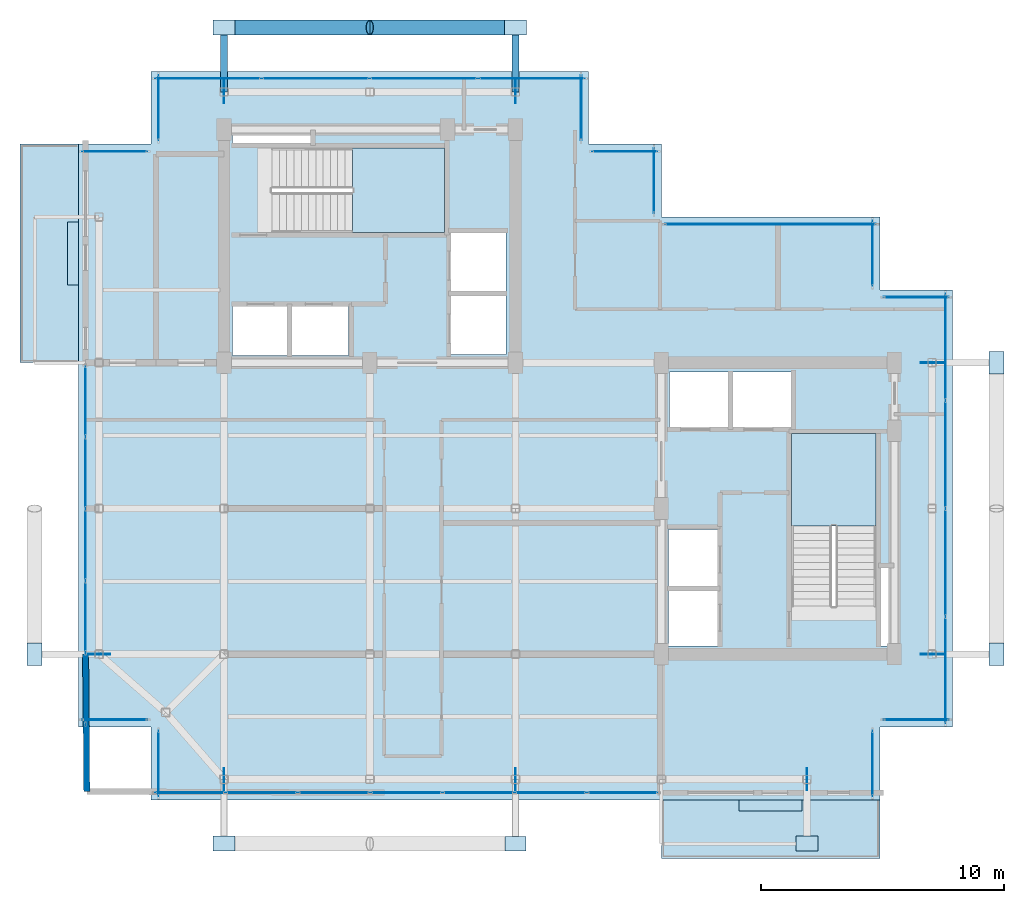
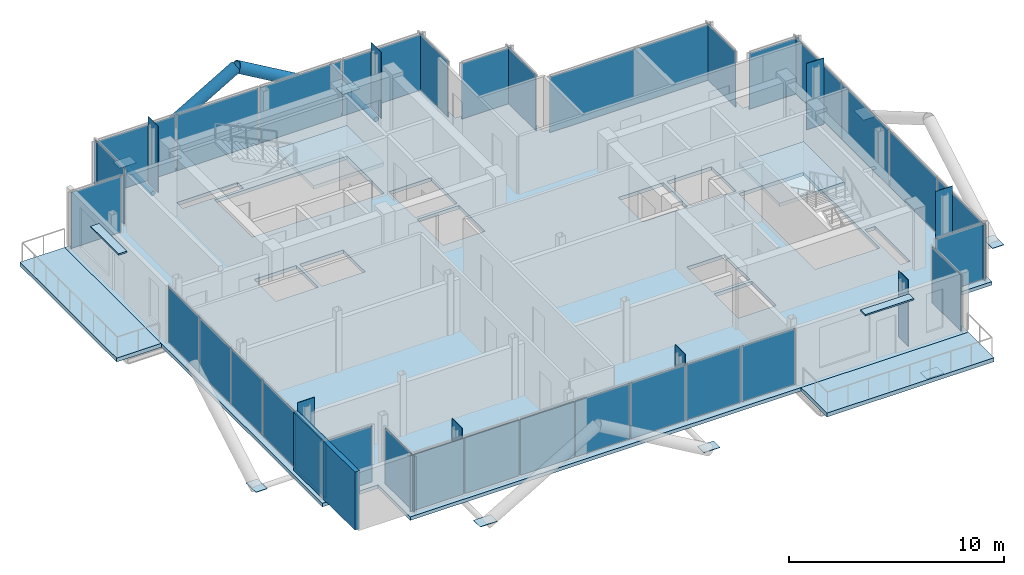
# One storey, part 14 of 19: 50 plates, 5 slabs, 4 members, 1 wall, 18 elements without a shape of their own.
"""IFC4 building model written with IfcOpenShell, lengths in metres."""

from ifc_helpers import new_model, si_unit, direction, frame, frame_2d, origin, origin_2d, place, context, subcontext, project, spatial, polyline, rectangle, hollow_circle, outline, extrude, material, layer, layer_set, material_profile, profile_set, type_object, element, aggregate, save


model = new_model("IFC4")

# Units and contexts
model_context = context("Model", 3, precision=1e-05, world=origin(), true_north=direction((0.0, 1.0)))
body_context = subcontext(model_context, "Body", "Model", "MODEL_VIEW")
ifc_project = project(units=[si_unit("LENGTHUNIT", "METRE"), si_unit("AREAUNIT", "SQUARE_METRE"), si_unit("VOLUMEUNIT", "CUBIC_METRE"), si_unit("PLANEANGLEUNIT", "RADIAN"), si_unit("MASSUNIT", "GRAM", prefix="KILO"), si_unit("THERMODYNAMICTEMPERATUREUNIT", "KELVIN"), si_unit("POWERUNIT", "WATT")], contexts=[model_context])

# Site, building, storey
site_placement = place(None, origin())
site = spatial("IfcSite", under=ifc_project, at=site_placement, CompositionType="ELEMENT")
building_placement = place(site_placement, origin())
building = spatial("IfcBuilding", under=site, at=building_placement, Name="Svarakhadi Broadcast Tower", CompositionType="ELEMENT")
storey_placement = place(building_placement, frame((0.0, 0.0, 285.199951171875)))
storey = spatial("IfcBuildingStorey", under=building, at=storey_placement, Name="L72", CompositionType="ELEMENT", Elevation=285.199951171875)

# Members
ifc_material_1 = material(Name="Steel S460ML (IS 2062 E450BR)", Category="steel")
ifc_material_profile_1 = material_profile(ifc_material_1, hollow_circle(Radius=0.304931640625, WallThickness=0.030029296875, at=origin_2d()), Name="CHS 610x30")
ifc_profile_set_1 = profile_set([ifc_material_profile_1], Name="Steel S460ML (IS 2062 E450BR)")
member_type_1 = type_object("IfcMemberType", Name="Exo_Brace_CHS610", PredefinedType="BRACE", material=ifc_profile_set_1)
for number, where, z_axis, x_axis, name in (
    (1, (6.0, 31.800048828125, -0.33642578125), (0.863778900898, 0.0, 0.503871025524), (0.0, 1.0, 0.0), "L72 Exposed Bronze Exoskeleton Diagonal N06"),
    (2, (18.0, 31.800048828125, -0.33642578125), (-0.863778900898, 0.0, 0.503871025524), (0.0, -1.0, 0.0), "L72 Exposed Bronze Exoskeleton Diagonal N07"),
):
    element("IfcMember", number, at=place(storey_placement, frame(where, z_axis=z_axis, x_axis=x_axis)), inside=storey, type_object=member_type_1, Name=name, PredefinedType="BRACE", context=body_context, shape_type="SweptSolid", body=[
        extrude(hollow_circle(Radius=0.304931640625, WallThickness=0.030029296875, at=origin_2d()), origin(), (0.0, 0.0, 1.0), 6.9462890625),
    ])
ifc_material_profile_2 = material_profile(ifc_material_1, hollow_circle(Radius=0.136474609375, WallThickness=0.012451171875, at=origin_2d()), Name="CHS 273x12.5")
ifc_profile_set_2 = profile_set([ifc_material_profile_2], Name="Steel S460ML (IS 2062 E450BR)")
member_type_2 = type_object("IfcMemberType", Name="Exo_Radial_Strut_Z3", PredefinedType="STRUT", material=ifc_profile_set_2)
for number, where, z_axis, x_axis, name in (
    (3, (6.0, 31.800048828125, -0.33642578125), (0.0, -1.0, 0.0), (1.0, 0.0, 0.0), "L72 Exoskeleton Radial Tie Strut N07"),
    (4, (18.0, 31.800048828125, -0.33642578125), (0.0, -1.0, 0.0), (1.0, 0.0, 0.0), "L72 Exoskeleton Radial Tie Strut N08"),
):
    element("IfcMember", number, at=place(storey_placement, frame(where, z_axis=z_axis, x_axis=x_axis)), inside=storey, type_object=member_type_2, Name=name, PredefinedType="STRUT", context=body_context, shape_type="SweptSolid", body=[
        extrude(hollow_circle(Radius=0.136474609375, WallThickness=0.012451171875, at=origin_2d()), origin(), (0.0, 0.0, 1.0), 2.650146484375),
    ])

# Curtain wall, plate
ifc_material_2 = material(Name="Anodised Bronze Aluminium AA 6063-T6", Category="aluminium")
ifc_layer_1 = layer(ifc_material_2, 0.179931640625)
ifc_layer_set_1 = layer_set([ifc_layer_1], Name="Anodised Bronze Aluminium AA 6063-T6")
curtain_wall_type = type_object("IfcCurtainWallType", Name="CW_Sys_05", PredefinedType="NOTDEFINED", material=ifc_layer_set_1)
curtain_wall_1_placement = place(storey_placement, origin())
curtain_wall_1 = element("IfcCurtainWall", 5, at=curtain_wall_1_placement, inside=storey, type_object=curtain_wall_type, Name="L72 Unitised Facade Curtain Wall 01", PredefinedType="NOTDEFINED")
ifc_material_3 = material(Name="Double Low-E Laminated Acoustic Glass IGU 36 mm", Category="glass")
ifc_layer_2 = layer(ifc_material_3, 0.033935546875)
ifc_layer_set_2 = layer_set([ifc_layer_2], Name="Double Low-E Laminated Acoustic Glass IGU 36 mm")
plate_type_1 = type_object("IfcPlateType", Name="CW_Sys_05_Pnl", PredefinedType="CURTAIN_PANEL", material=ifc_layer_set_2)
plate_1_placement = place(storey_placement, frame((1.5, 3.300048828125, 0.065185546875), z_axis=(0.0, 0.0, 1.0), x_axis=(-1.0, 0.0, 0.0)))
plate_1 = element("IfcPlate", 6, at=plate_1_placement, type_object=plate_type_1, Name="CW-05 panel 1.1", PredefinedType="CURTAIN_PANEL", context=body_context, shape_type="SweptSolid", body=[
    extrude(rectangle(XDim=2.679931640625, YDim=0.033935546875, at=origin_2d()), origin(), (0.0, 0.0, 1.0), 3.169921875),
])
aggregate(curtain_wall_1, [plate_1])

# Curtain wall, plates
curtain_wall_2_placement = place(storey_placement, origin())
curtain_wall_2 = element("IfcCurtainWall", 7, at=curtain_wall_2_placement, inside=storey, type_object=curtain_wall_type, Name="L72 West Curtain Wall 02", PredefinedType="NOTDEFINED")
plate_2_placement = place(storey_placement, frame((0.300048828125, 4.589599609375, 0.065185546875), z_axis=(0.0, 0.0, 1.0), x_axis=(0.0, 1.0, 0.0)))
plate_2 = element("IfcPlate", 8, at=plate_2_placement, type_object=plate_type_1, Name="CW-05 panel 1.1", PredefinedType="CURTAIN_PANEL", context=body_context, shape_type="SweptSolid", body=[
    extrude(rectangle(XDim=2.85888671875, YDim=0.033935546875, at=origin_2d()), origin(), (0.0, 0.0, 1.0), 3.169921875),
])
plate_3_placement = place(storey_placement, frame((0.300048828125, 7.535888671875, 0.065185546875), z_axis=(0.0, 0.0, 1.0), x_axis=(0.0, 1.0, 0.0)))
plate_3 = element("IfcPlate", 9, at=plate_3_placement, type_object=plate_type_1, Name="CW-05 panel 2.1", PredefinedType="CURTAIN_PANEL", context=body_context, shape_type="SweptSolid", body=[
    extrude(rectangle(XDim=2.89404296875, YDim=0.033935546875, at=origin_2d()), origin(), (0.0, 0.0, 1.0), 3.169921875),
])
plate_4_placement = place(storey_placement, frame((0.300048828125, 10.5, 0.065185546875), z_axis=(0.0, 0.0, 1.0), x_axis=(0.0, 1.0, 0.0)))
plate_4 = element("IfcPlate", 10, at=plate_4_placement, type_object=plate_type_1, Name="CW-05 panel 3.1", PredefinedType="CURTAIN_PANEL", context=body_context, shape_type="SweptSolid", body=[
    extrude(rectangle(XDim=2.89404296875, YDim=0.033935546875, at=origin_2d()), origin(), (0.0, 0.0, 1.0), 3.169921875),
])
plate_5_placement = place(storey_placement, frame((0.300048828125, 13.464111328125, 0.065185546875), z_axis=(0.0, 0.0, 1.0), x_axis=(0.0, 1.0, 0.0)))
plate_5 = element("IfcPlate", 11, at=plate_5_placement, type_object=plate_type_1, Name="CW-05 panel 4.1", PredefinedType="CURTAIN_PANEL", context=body_context, shape_type="SweptSolid", body=[
    extrude(rectangle(XDim=2.89404296875, YDim=0.033935546875, at=origin_2d()), origin(), (0.0, 0.0, 1.0), 3.169921875),
])
plate_6_placement = place(storey_placement, frame((0.300048828125, 16.410400390625, 0.065185546875), z_axis=(0.0, 0.0, 1.0), x_axis=(0.0, 1.0, 0.0)))
plate_6 = element("IfcPlate", 12, at=plate_6_placement, type_object=plate_type_1, Name="CW-05 panel 5.1", PredefinedType="CURTAIN_PANEL", context=body_context, shape_type="SweptSolid", body=[
    extrude(rectangle(XDim=2.85888671875, YDim=0.033935546875, at=origin_2d()), origin(), (0.0, 0.0, 1.0), 3.169921875),
])
aggregate(curtain_wall_2, [plate_2, plate_3, plate_4, plate_5, plate_6])

# Curtain wall, plate
curtain_wall_3_placement = place(storey_placement, origin())
curtain_wall_3 = element("IfcCurtainWall", 13, at=curtain_wall_3_placement, inside=storey, type_object=curtain_wall_type, Name="L72 Unitised Facade Curtain Wall 03", PredefinedType="NOTDEFINED")
plate_7_placement = place(storey_placement, frame((1.5, 26.699951171875, 0.065185546875), z_axis=(0.0, 0.0, 1.0), x_axis=(1.0, 0.0, 0.0)))
plate_7 = element("IfcPlate", 14, at=plate_7_placement, type_object=plate_type_1, Name="CW-05 panel 1.1", PredefinedType="CURTAIN_PANEL", context=body_context, shape_type="SweptSolid", body=[
    extrude(rectangle(XDim=2.679931640625, YDim=0.033935546875, at=origin_2d()), origin(), (0.0, 0.0, 1.0), 3.169921875),
])
aggregate(curtain_wall_3, [plate_7])

curtain_wall_4_placement = place(storey_placement, origin())
curtain_wall_4 = element("IfcCurtainWall", 15, at=curtain_wall_4_placement, inside=storey, type_object=curtain_wall_type, Name="L72 Unitised Facade Curtain Wall 04", PredefinedType="NOTDEFINED")
plate_8_placement = place(storey_placement, frame((3.300048828125, 28.5, 0.065185546875), z_axis=(0.0, 0.0, 1.0), x_axis=(0.0, 1.0, 0.0)))
plate_8 = element("IfcPlate", 16, at=plate_8_placement, type_object=plate_type_1, Name="CW-05 panel 1.1", PredefinedType="CURTAIN_PANEL", context=body_context, shape_type="SweptSolid", body=[
    extrude(rectangle(XDim=2.679931640625, YDim=0.033935546875, at=origin_2d()), origin(), (0.0, 0.0, 1.0), 3.169921875),
])
aggregate(curtain_wall_4, [plate_8])

# Curtain wall, plates
curtain_wall_5_placement = place(storey_placement, origin())
curtain_wall_5 = element("IfcCurtainWall", 17, at=curtain_wall_5_placement, inside=storey, type_object=curtain_wall_type, Name="L72 Unitised Facade Curtain Wall 05", PredefinedType="NOTDEFINED")
plate_9_placement = place(storey_placement, frame((5.3349609375, 29.699951171875, 0.065185546875), z_axis=(0.0, 0.0, 1.0), x_axis=(1.0, 0.0, 0.0)))
plate_9 = element("IfcPlate", 18, at=plate_9_placement, type_object=plate_type_1, Name="CW-05 panel 1.1", PredefinedType="CURTAIN_PANEL", context=body_context, shape_type="SweptSolid", body=[
    extrude(rectangle(XDim=4.35009765625, YDim=0.033935546875, at=origin_2d()), origin(), (0.0, 0.0, 1.0), 3.169921875),
])
plate_10_placement = place(storey_placement, frame((9.7724609375, 29.699951171875, 0.065185546875), z_axis=(0.0, 0.0, 1.0), x_axis=(1.0, 0.0, 0.0)))
plate_10 = element("IfcPlate", 19, at=plate_10_placement, type_object=plate_type_1, Name="CW-05 panel 2.1", PredefinedType="CURTAIN_PANEL", context=body_context, shape_type="SweptSolid", body=[
    extrude(rectangle(XDim=4.385009765625, YDim=0.033935546875, at=origin_2d()), origin(), (0.0, 0.0, 1.0), 3.169921875),
])
plate_11_placement = place(storey_placement, frame((14.2275390625, 29.699951171875, 0.065185546875), z_axis=(0.0, 0.0, 1.0), x_axis=(1.0, 0.0, 0.0)))
plate_11 = element("IfcPlate", 20, at=plate_11_placement, type_object=plate_type_1, Name="CW-05 panel 3.1", PredefinedType="CURTAIN_PANEL", context=body_context, shape_type="SweptSolid", body=[
    extrude(rectangle(XDim=4.385009765625, YDim=0.033935546875, at=origin_2d()), origin(), (0.0, 0.0, 1.0), 3.169921875),
])
plate_12_placement = place(storey_placement, frame((18.6650390625, 29.699951171875, 0.065185546875), z_axis=(0.0, 0.0, 1.0), x_axis=(1.0, 0.0, 0.0)))
plate_12 = element("IfcPlate", 21, at=plate_12_placement, type_object=plate_type_1, Name="CW-05 panel 4.1", PredefinedType="CURTAIN_PANEL", context=body_context, shape_type="SweptSolid", body=[
    extrude(rectangle(XDim=4.35009765625, YDim=0.033935546875, at=origin_2d()), origin(), (0.0, 0.0, 1.0), 3.169921875),
])
aggregate(curtain_wall_5, [plate_9, plate_10, plate_11, plate_12])

# Curtain wall, plate
curtain_wall_6_placement = place(storey_placement, origin())
curtain_wall_6 = element("IfcCurtainWall", 22, at=curtain_wall_6_placement, inside=storey, type_object=curtain_wall_type, Name="L72 Unitised Facade Curtain Wall 06", PredefinedType="NOTDEFINED")
plate_13_placement = place(storey_placement, frame((20.699951171875, 28.5, 0.065185546875), z_axis=(0.0, 0.0, 1.0), x_axis=(0.0, -1.0, 0.0)))
plate_13 = element("IfcPlate", 23, at=plate_13_placement, type_object=plate_type_1, Name="CW-05 panel 1.1", PredefinedType="CURTAIN_PANEL", context=body_context, shape_type="SweptSolid", body=[
    extrude(rectangle(XDim=2.679931640625, YDim=0.033935546875, at=origin_2d()), origin(), (0.0, 0.0, 1.0), 3.169921875),
])
aggregate(curtain_wall_6, [plate_13])

curtain_wall_7_placement = place(storey_placement, origin())
curtain_wall_7 = element("IfcCurtainWall", 24, at=curtain_wall_7_placement, inside=storey, type_object=curtain_wall_type, Name="L72 Unitised Facade Curtain Wall 07", PredefinedType="NOTDEFINED")
plate_14_placement = place(storey_placement, frame((22.5, 26.699951171875, 0.065185546875), z_axis=(0.0, 0.0, 1.0), x_axis=(1.0, 0.0, 0.0)))
plate_14 = element("IfcPlate", 25, at=plate_14_placement, type_object=plate_type_1, Name="CW-05 panel 1.1", PredefinedType="CURTAIN_PANEL", context=body_context, shape_type="SweptSolid", body=[
    extrude(rectangle(XDim=2.679931640625, YDim=0.033935546875, at=origin_2d()), origin(), (0.0, 0.0, 1.0), 3.169921875),
])
aggregate(curtain_wall_7, [plate_14])

curtain_wall_8_placement = place(storey_placement, origin())
curtain_wall_8 = element("IfcCurtainWall", 26, at=curtain_wall_8_placement, inside=storey, type_object=curtain_wall_type, Name="L72 Unitised Facade Curtain Wall 08", PredefinedType="NOTDEFINED")
plate_15_placement = place(storey_placement, frame((23.699951171875, 25.5, 0.065185546875), z_axis=(0.0, 0.0, 1.0), x_axis=(0.0, -1.0, 0.0)))
plate_15 = element("IfcPlate", 27, at=plate_15_placement, type_object=plate_type_1, Name="CW-05 panel 1.1", PredefinedType="CURTAIN_PANEL", context=body_context, shape_type="SweptSolid", body=[
    extrude(rectangle(XDim=2.679931640625, YDim=0.033935546875, at=origin_2d()), origin(), (0.0, 0.0, 1.0), 3.169921875),
])
aggregate(curtain_wall_8, [plate_15])

curtain_wall_9_placement = place(storey_placement, origin())
curtain_wall_9 = element("IfcCurtainWall", 28, at=curtain_wall_9_placement, inside=storey, type_object=curtain_wall_type, Name="L72 Unitised Facade Curtain Wall 09", PredefinedType="NOTDEFINED")
plate_16_placement = place(storey_placement, frame((28.5, 23.699951171875, 0.065185546875), z_axis=(0.0, 0.0, 1.0), x_axis=(1.0, 0.0, 0.0)))
plate_16 = element("IfcPlate", 29, at=plate_16_placement, type_object=plate_type_1, Name="CW-05 panel 1.1", PredefinedType="CURTAIN_PANEL", context=body_context, shape_type="SweptSolid", body=[
    extrude(rectangle(XDim=8.679931640625, YDim=0.033935546875, at=origin_2d()), origin(), (0.0, 0.0, 1.0), 3.169921875),
])
aggregate(curtain_wall_9, [plate_16])

curtain_wall_10_placement = place(storey_placement, origin())
curtain_wall_10 = element("IfcCurtainWall", 30, at=curtain_wall_10_placement, inside=storey, type_object=curtain_wall_type, Name="L72 Unitised Facade Curtain Wall 10", PredefinedType="NOTDEFINED")
plate_17_placement = place(storey_placement, frame((32.699951171875, 22.5, 0.065185546875), z_axis=(0.0, 0.0, 1.0), x_axis=(0.0, -1.0, 0.0)))
plate_17 = element("IfcPlate", 31, at=plate_17_placement, type_object=plate_type_1, Name="CW-05 panel 1.1", PredefinedType="CURTAIN_PANEL", context=body_context, shape_type="SweptSolid", body=[
    extrude(rectangle(XDim=2.679931640625, YDim=0.033935546875, at=origin_2d()), origin(), (0.0, 0.0, 1.0), 3.169921875),
])
aggregate(curtain_wall_10, [plate_17])

curtain_wall_11_placement = place(storey_placement, origin())
curtain_wall_11 = element("IfcCurtainWall", 32, at=curtain_wall_11_placement, inside=storey, type_object=curtain_wall_type, Name="L72 Unitised Facade Curtain Wall 11", PredefinedType="NOTDEFINED")
plate_18_placement = place(storey_placement, frame((34.5, 20.699951171875, 0.065185546875), z_axis=(0.0, 0.0, 1.0), x_axis=(1.0, 0.0, 0.0)))
plate_18 = element("IfcPlate", 33, at=plate_18_placement, type_object=plate_type_1, Name="CW-05 panel 1.1", PredefinedType="CURTAIN_PANEL", context=body_context, shape_type="SweptSolid", body=[
    extrude(rectangle(XDim=2.679931640625, YDim=0.033935546875, at=origin_2d()), origin(), (0.0, 0.0, 1.0), 3.169921875),
])
aggregate(curtain_wall_11, [plate_18])

# Curtain wall, plates
curtain_wall_12_placement = place(storey_placement, origin())
curtain_wall_12 = element("IfcCurtainWall", 34, at=curtain_wall_12_placement, inside=storey, type_object=curtain_wall_type, Name="L72 Unitised Facade Curtain Wall 12", PredefinedType="NOTDEFINED")
plate_19_placement = place(storey_placement, frame((35.699951171875, 18.6650390625, 0.065185546875), z_axis=(0.0, 0.0, 1.0), x_axis=(0.0, -1.0, 0.0)))
plate_19 = element("IfcPlate", 35, at=plate_19_placement, type_object=plate_type_1, Name="CW-05 panel 1.1", PredefinedType="CURTAIN_PANEL", context=body_context, shape_type="SweptSolid", body=[
    extrude(rectangle(XDim=4.35009765625, YDim=0.033935546875, at=origin_2d()), origin(), (0.0, 0.0, 1.0), 3.169921875),
])
plate_20_placement = place(storey_placement, frame((35.699951171875, 14.2275390625, 0.065185546875), z_axis=(0.0, 0.0, 1.0), x_axis=(0.0, -1.0, 0.0)))
plate_20 = element("IfcPlate", 36, at=plate_20_placement, type_object=plate_type_1, Name="CW-05 panel 2.1", PredefinedType="CURTAIN_PANEL", context=body_context, shape_type="SweptSolid", body=[
    extrude(rectangle(XDim=4.385009765625, YDim=0.033935546875, at=origin_2d()), origin(), (0.0, 0.0, 1.0), 3.169921875),
])
plate_21_placement = place(storey_placement, frame((35.699951171875, 9.7724609375, 0.065185546875), z_axis=(0.0, 0.0, 1.0), x_axis=(0.0, -1.0, 0.0)))
plate_21 = element("IfcPlate", 37, at=plate_21_placement, type_object=plate_type_1, Name="CW-05 panel 3.1", PredefinedType="CURTAIN_PANEL", context=body_context, shape_type="SweptSolid", body=[
    extrude(rectangle(XDim=4.385009765625, YDim=0.033935546875, at=origin_2d()), origin(), (0.0, 0.0, 1.0), 3.169921875),
])
plate_22_placement = place(storey_placement, frame((35.699951171875, 5.3349609375, 0.065185546875), z_axis=(0.0, 0.0, 1.0), x_axis=(0.0, -1.0, 0.0)))
plate_22 = element("IfcPlate", 38, at=plate_22_placement, type_object=plate_type_1, Name="CW-05 panel 4.1", PredefinedType="CURTAIN_PANEL", context=body_context, shape_type="SweptSolid", body=[
    extrude(rectangle(XDim=4.35009765625, YDim=0.033935546875, at=origin_2d()), origin(), (0.0, 0.0, 1.0), 3.169921875),
])
aggregate(curtain_wall_12, [plate_19, plate_20, plate_21, plate_22])

# Curtain wall, plate
curtain_wall_13_placement = place(storey_placement, origin())
curtain_wall_13 = element("IfcCurtainWall", 39, at=curtain_wall_13_placement, inside=storey, type_object=curtain_wall_type, Name="L72 Unitised Facade Curtain Wall 13", PredefinedType="NOTDEFINED")
plate_23_placement = place(storey_placement, frame((34.5, 3.300048828125, 0.065185546875), z_axis=(0.0, 0.0, 1.0), x_axis=(-1.0, 0.0, 0.0)))
plate_23 = element("IfcPlate", 40, at=plate_23_placement, type_object=plate_type_1, Name="CW-05 panel 1.1", PredefinedType="CURTAIN_PANEL", context=body_context, shape_type="SweptSolid", body=[
    extrude(rectangle(XDim=2.679931640625, YDim=0.033935546875, at=origin_2d()), origin(), (0.0, 0.0, 1.0), 3.169921875),
])
aggregate(curtain_wall_13, [plate_23])

curtain_wall_14_placement = place(storey_placement, origin())
curtain_wall_14 = element("IfcCurtainWall", 41, at=curtain_wall_14_placement, inside=storey, type_object=curtain_wall_type, Name="L72 Unitised Facade Curtain Wall 14", PredefinedType="NOTDEFINED")
plate_24_placement = place(storey_placement, frame((32.699951171875, 1.5, 0.065185546875), z_axis=(0.0, 0.0, 1.0), x_axis=(0.0, -1.0, 0.0)))
plate_24 = element("IfcPlate", 42, at=plate_24_placement, type_object=plate_type_1, Name="CW-05 panel 1.1", PredefinedType="CURTAIN_PANEL", context=body_context, shape_type="SweptSolid", body=[
    extrude(rectangle(XDim=2.679931640625, YDim=0.033935546875, at=origin_2d()), origin(), (0.0, 0.0, 1.0), 3.169921875),
])
aggregate(curtain_wall_14, [plate_24])

# Curtain wall, plates
curtain_wall_15_placement = place(storey_placement, origin())
curtain_wall_15 = element("IfcCurtainWall", 43, at=curtain_wall_15_placement, inside=storey, type_object=curtain_wall_type, Name="L72 South Curtain Wall 15", PredefinedType="NOTDEFINED")
plate_25_placement = place(storey_placement, frame((22.4052734375, 0.300048828125, 0.065185546875), z_axis=(0.0, 0.0, 1.0), x_axis=(-1.0, 0.0, 0.0)))
plate_25 = element("IfcPlate", 44, at=plate_25_placement, type_object=plate_type_1, Name="CW-05 panel 1.1", PredefinedType="CURTAIN_PANEL", context=body_context, shape_type="SweptSolid", body=[
    extrude(rectangle(XDim=2.869384765625, YDim=0.033935546875, at=origin_2d()), origin(), (0.0, 0.0, 1.0), 3.169921875),
])
plate_26_placement = place(storey_placement, frame((19.448486328125, 0.300048828125, 0.065185546875), z_axis=(0.0, 0.0, 1.0), x_axis=(-1.0, 0.0, 0.0)))
plate_26 = element("IfcPlate", 45, at=plate_26_placement, type_object=plate_type_1, Name="CW-05 panel 2.1", PredefinedType="CURTAIN_PANEL", context=body_context, shape_type="SweptSolid", body=[
    extrude(rectangle(XDim=2.904296875, YDim=0.033935546875, at=origin_2d()), origin(), (0.0, 0.0, 1.0), 3.169921875),
])
plate_27_placement = place(storey_placement, frame((16.474365234375, 0.300048828125, 0.065185546875), z_axis=(0.0, 0.0, 1.0), x_axis=(-1.0, 0.0, 0.0)))
plate_27 = element("IfcPlate", 46, at=plate_27_placement, type_object=plate_type_1, Name="CW-05 panel 3.1", PredefinedType="CURTAIN_PANEL", context=body_context, shape_type="SweptSolid", body=[
    extrude(rectangle(XDim=2.904296875, YDim=0.033935546875, at=origin_2d()), origin(), (0.0, 0.0, 1.0), 3.169921875),
])
plate_28_placement = place(storey_placement, frame((13.5, 0.300048828125, 0.065185546875), z_axis=(0.0, 0.0, 1.0), x_axis=(-1.0, 0.0, 0.0)))
plate_28 = element("IfcPlate", 47, at=plate_28_placement, type_object=plate_type_1, Name="CW-05 panel 4.1", PredefinedType="CURTAIN_PANEL", context=body_context, shape_type="SweptSolid", body=[
    extrude(rectangle(XDim=2.904296875, YDim=0.033935546875, at=origin_2d()), origin(), (0.0, 0.0, 1.0), 3.169921875),
])
plate_29_placement = place(storey_placement, frame((10.525634765625, 0.300048828125, 0.065185546875), z_axis=(0.0, 0.0, 1.0), x_axis=(-1.0, 0.0, 0.0)))
plate_29 = element("IfcPlate", 48, at=plate_29_placement, type_object=plate_type_1, Name="CW-05 panel 5.1", PredefinedType="CURTAIN_PANEL", context=body_context, shape_type="SweptSolid", body=[
    extrude(rectangle(XDim=2.904296875, YDim=0.033935546875, at=origin_2d()), origin(), (0.0, 0.0, 1.0), 3.169921875),
])
plate_30_placement = place(storey_placement, frame((7.551513671875, 0.300048828125, 0.065185546875), z_axis=(0.0, 0.0, 1.0), x_axis=(-1.0, 0.0, 0.0)))
plate_30 = element("IfcPlate", 49, at=plate_30_placement, type_object=plate_type_1, Name="CW-05 panel 6.1", PredefinedType="CURTAIN_PANEL", context=body_context, shape_type="SweptSolid", body=[
    extrude(rectangle(XDim=2.904296875, YDim=0.033935546875, at=origin_2d()), origin(), (0.0, 0.0, 1.0), 3.169921875),
])
plate_31_placement = place(storey_placement, frame((4.5947265625, 0.300048828125, 0.065185546875), z_axis=(0.0, 0.0, 1.0), x_axis=(-1.0, 0.0, 0.0)))
plate_31 = element("IfcPlate", 50, at=plate_31_placement, type_object=plate_type_1, Name="CW-05 panel 7.1", PredefinedType="CURTAIN_PANEL", context=body_context, shape_type="SweptSolid", body=[
    extrude(rectangle(XDim=2.869384765625, YDim=0.033935546875, at=origin_2d()), origin(), (0.0, 0.0, 1.0), 3.169921875),
])
aggregate(curtain_wall_15, [plate_25, plate_26, plate_27, plate_28, plate_29, plate_30, plate_31])

# Curtain wall, plate
curtain_wall_16_placement = place(storey_placement, origin())
curtain_wall_16 = element("IfcCurtainWall", 51, at=curtain_wall_16_placement, inside=storey, type_object=curtain_wall_type, Name="L72 Unitised Facade Curtain Wall 16", PredefinedType="NOTDEFINED")
plate_32_placement = place(storey_placement, frame((3.300048828125, 1.5, 0.065185546875), z_axis=(0.0, 0.0, 1.0), x_axis=(0.0, 1.0, 0.0)))
plate_32 = element("IfcPlate", 52, at=plate_32_placement, type_object=plate_type_1, Name="CW-05 panel 1.1", PredefinedType="CURTAIN_PANEL", context=body_context, shape_type="SweptSolid", body=[
    extrude(rectangle(XDim=2.679931640625, YDim=0.033935546875, at=origin_2d()), origin(), (0.0, 0.0, 1.0), 3.169921875),
])
aggregate(curtain_wall_16, [plate_32])

# Plates
ifc_layer_3 = layer(ifc_material_1, 0.02490234375)
ifc_layer_set_3 = layer_set([ifc_layer_3], Name="Steel S460ML (IS 2062 E450BR)")
plate_type_2 = type_object("IfcPlateType", Name="Node_Gusset_N05", PredefinedType="SHEET", material=ifc_layer_set_3)
plate_33_placement = place(storey_placement, frame((18.0, -1.800048828125, -0.199951171875), z_axis=(0.0, 0.0, 1.0), x_axis=(1.0, 0.0, 0.0)))
element("IfcPlate", 53, at=plate_33_placement, inside=storey, type_object=plate_type_2, Name="L72 Exoskeleton Gusset Node Plate S02", PredefinedType="SHEET", context=body_context, shape_type="SweptSolid", body=[
    extrude(rectangle(XDim=0.8798828125, YDim=0.60009765625, at=origin_2d()), origin(), (0.0, 0.0, 1.0), 0.02490234375),
])
ifc_layer_4 = layer(ifc_material_1, 0.02587890625)
ifc_layer_set_4 = layer_set([ifc_layer_4], Name="Steel S460ML (IS 2062 E450BR)")
plate_type_3 = type_object("IfcPlateType", Name="Node_Gusset_N07", PredefinedType="SHEET", material=ifc_layer_set_4)
for number, where, z_axis, x_axis, name in (
    (54, (6.0, -1.800048828125, -0.199951171875), (0.0, 0.0, 1.0), (1.0, 0.0, 0.0), "L72 Exoskeleton Gusset Node Plate S01"),
    (55, (30.0, -1.800048828125, -0.199951171875), (0.0, 0.0, 1.0), (1.0, 0.0, 0.0), "L72 Exoskeleton Gusset Node Plate S03"),
    (56, (-1.800048828125, 6.0, -0.199951171875), (0.0, 0.0, 1.0), (0.0, 1.0, 0.0), "L72 Exoskeleton Gusset Node Plate W04"),
    (57, (37.800048828125, 6.0, -0.199951171875), (0.0, 0.0, 1.0), (0.0, 1.0, 0.0), "L72 Exoskeleton Gusset Node Plate E05"),
    (58, (37.800048828125, 18.0, -0.199951171875), (0.0, 0.0, 1.0), (0.0, 1.0, 0.0), "L72 Exoskeleton Gusset Node Plate E06"),
    (59, (6.0, 31.800048828125, -0.199951171875), (0.0, 0.0, 1.0), (1.0, 0.0, 0.0), "L72 Exoskeleton Gusset Node Plate N07"),
    (60, (18.0, 31.800048828125, -0.199951171875), (0.0, 0.0, 1.0), (1.0, 0.0, 0.0), "L72 Exoskeleton Gusset Node Plate N08"),
):
    element("IfcPlate", number, at=place(storey_placement, frame(where, z_axis=z_axis, x_axis=x_axis)), inside=storey, type_object=plate_type_3, Name=name, PredefinedType="SHEET", context=body_context, shape_type="SweptSolid", body=[
        extrude(rectangle(XDim=0.919921875, YDim=0.6201171875, at=origin_2d()), origin(), (0.0, 0.0, 1.0), 0.02587890625),
    ])
for number, where, z_axis, x_axis, name in (
    (61, (6.0, 0.85009765625, -0.53662109375), (0.0, 0.0, 1.0), (0.0, 1.0, 0.0), "L72 Brace End Connection Gusset Plate N-07-E0558"),
    (62, (18.0, 0.85009765625, -0.53662109375), (0.0, 0.0, 1.0), (0.0, 1.0, 0.0), "L72 Brace End Connection Gusset Plate N-07-E0559"),
    (63, (30.0, 0.85009765625, -0.53662109375), (0.0, 0.0, 1.0), (0.0, 1.0, 0.0), "L72 Brace End Connection Gusset Plate N-07-E0560"),
    (64, (0.85009765625, 6.0, -0.53662109375), (0.0, 0.0, 1.0), (1.0, 0.0, 0.0), "L72 Brace End Connection Gusset Plate N-07-E0561"),
    (65, (35.14990234375, 6.0, -0.53662109375), (0.0, 0.0, 1.0), (1.0, 0.0, 0.0), "L72 Brace End Connection Gusset Plate N-07-E0562"),
    (66, (35.14990234375, 18.0, -0.53662109375), (0.0, 0.0, 1.0), (1.0, 0.0, 0.0), "L72 Brace End Connection Gusset Plate N-07-E0563"),
    (67, (6.0, 29.14990234375, -0.53662109375), (0.0, 0.0, 1.0), (0.0, 1.0, 0.0), "L72 Brace End Connection Gusset Plate N-07-E0564"),
    (68, (18.0, 29.14990234375, -0.53662109375), (0.0, 0.0, 1.0), (0.0, 1.0, 0.0), "L72 Brace End Connection Gusset Plate N-07-E0565"),
):
    element("IfcPlate", number, at=place(storey_placement, frame(where, z_axis=z_axis, x_axis=x_axis)), inside=storey, type_object=plate_type_3, Name=name, PredefinedType="SHEET", context=body_context, shape_type="SweptSolid", body=[
        extrude(rectangle(XDim=0.919921875, YDim=0.02587890625, at=origin_2d()), origin(), (0.0, 0.0, 1.0), 4.300048828125),
    ])

# Slab
ifc_material_4 = material(Name="Concrete C40/50 (IS 456 M50)", Category="concrete")
ifc_layer_5 = layer(ifc_material_4, 0.199951171875)
ifc_layer_set_5 = layer_set([ifc_layer_5], Name="Concrete C40/50 (IS 456 M50)")
slab_type_1 = type_object("IfcSlabType", Name="Slab_Floor_200", PredefinedType="FLOOR", material=ifc_layer_set_5)
slab_1_placement = place(storey_placement, frame((0.0, 0.0, -0.199951171875)))
element("IfcSlab", 69, at=slab_1_placement, inside=storey, type_object=slab_type_1, Name="L72 Structural Floor Slab", PredefinedType="FLOOR", context=body_context, shape_type="SweptSolid", body=[
    extrude(outline(polyline([(3.0, 0.0), (33.0, 0.0), (33.0, 3.0), (36.0, 3.0), (36.0, 21.0), (33.0, 21.0), (33.0, 24.0), (24.0, 24.0), (24.0, 27.0), (21.0, 27.0), (21.0, 30.0), (3.0, 30.0), (3.0, 27.0), (0.0, 27.0), (0.0, 3.0), (3.0, 3.0), (3.0, 0.0)]), holes=[polyline([(7.97998046875, 23.360107421875), (15.080078125, 23.360107421875), (15.080078125, 26.840087890625), (7.97998046875, 26.840087890625), (7.97998046875, 23.360107421875)]), polyline([(32.840087890625, 7.97998046875), (32.840087890625, 15.080078125), (29.360107421875, 15.080078125), (29.360107421875, 7.97998046875), (32.840087890625, 7.97998046875)]), polyline([(6.340087890625, 18.2900390625), (8.610107421875, 18.2900390625), (8.610107421875, 20.330078125), (6.340087890625, 20.330078125), (6.340087890625, 18.2900390625)]), polyline([(8.7900390625, 18.2900390625), (11.1298828125, 18.2900390625), (11.1298828125, 20.330078125), (8.7900390625, 20.330078125), (8.7900390625, 18.2900390625)]), polyline([(24.2900390625, 6.340087890625), (26.330078125, 6.340087890625), (26.330078125, 8.610107421875), (24.2900390625, 8.610107421875), (24.2900390625, 6.340087890625)]), polyline([(24.2900390625, 8.7900390625), (26.330078125, 8.7900390625), (26.330078125, 11.1298828125), (24.2900390625, 11.1298828125), (24.2900390625, 8.7900390625)]), polyline([(6.340087890625, 26.989990234375), (9.610107421875, 26.989990234375), (9.610107421875, 27.530029296875), (6.340087890625, 27.530029296875), (6.340087890625, 26.989990234375)]), polyline([(32.989990234375, 6.340087890625), (33.530029296875, 6.340087890625), (33.530029296875, 9.610107421875), (32.989990234375, 9.610107421875), (32.989990234375, 6.340087890625)]), polyline([(15.340087890625, 18.340087890625), (17.610107421875, 18.340087890625), (17.610107421875, 20.760009765625), (15.340087890625, 20.760009765625), (15.340087890625, 18.340087890625)]), polyline([(15.340087890625, 20.93994140625), (17.610107421875, 20.93994140625), (17.610107421875, 23.360107421875), (15.340087890625, 23.360107421875), (15.340087890625, 20.93994140625)]), polyline([(24.340087890625, 15.340087890625), (26.760009765625, 15.340087890625), (26.760009765625, 17.610107421875), (24.340087890625, 17.610107421875), (24.340087890625, 15.340087890625)]), polyline([(26.93994140625, 15.340087890625), (29.360107421875, 15.340087890625), (29.360107421875, 17.610107421875), (26.93994140625, 17.610107421875), (26.93994140625, 15.340087890625)])]), origin(), (0.0, 0.0, 1.0), 0.199951171875),
])

# Stair, slab
stair_type = type_object("IfcStairType", Name="Stair_Exit_Core", PredefinedType="HALF_TURN_STAIR", material=ifc_material_4)
stair_1_placement = place(storey_placement, origin())
stair_1 = element("IfcStair", 70, at=stair_1_placement, inside=storey, type_object=stair_type, Name="L72 West Core Protected Exit Stair ST-01", PredefinedType="HALF_TURN_STAIR")
ifc_layer_6 = layer(ifc_material_4, 0.199951171875)
ifc_layer_set_6 = layer_set([ifc_layer_6], Name="Concrete C40/50 (IS 456 M50)")
slab_type_2 = type_object("IfcSlabType", Name="Slab_Stair_Land", PredefinedType="LANDING", material=ifc_layer_set_6)
slab_2_placement = place(storey_placement, frame((0.0, 0.0, 1.550048828125)))
slab_2 = element("IfcSlab", 71, at=slab_2_placement, type_object=slab_type_2, Name="ST-01 landing 1", PredefinedType="LANDING", context=body_context, shape_type="SweptSolid", body=[
    extrude(outline(polyline([(11.280029296875, 23.360107421875), (15.080078125, 23.360107421875), (15.080078125, 26.840087890625), (11.280029296875, 26.840087890625), (11.280029296875, 23.360107421875)])), origin(), (0.0, 0.0, 1.0), 0.199951171875),
])
aggregate(stair_1, [slab_2])

stair_2_placement = place(storey_placement, origin())
stair_2 = element("IfcStair", 72, at=stair_2_placement, inside=storey, type_object=stair_type, Name="L72 East Core Protected Exit Stair ST-02", PredefinedType="HALF_TURN_STAIR")
slab_3_placement = place(storey_placement, frame((0.0, 0.0, 1.550048828125)))
slab_3 = element("IfcSlab", 73, at=slab_3_placement, type_object=slab_type_2, Name="ST-02 landing 1", PredefinedType="LANDING", context=body_context, shape_type="SweptSolid", body=[
    extrude(outline(polyline([(32.840087890625, 11.280029296875), (32.840087890625, 15.080078125), (29.360107421875, 15.080078125), (29.360107421875, 11.280029296875), (32.840087890625, 11.280029296875)])), origin(), (0.0, 0.0, 1.0), 0.199951171875),
])
aggregate(stair_2, [slab_3])

# Slabs
ifc_layer_7 = layer(ifc_material_4, 0.22509765625)
ifc_layer_set_7 = layer_set([ifc_layer_7], Name="Concrete C40/50 (IS 456 M50)")
slab_type_3 = type_object("IfcSlabType", Name="Slab_TreeBalcony", PredefinedType="FLOOR", material=ifc_layer_set_7)
slab_4_placement = place(storey_placement, frame((0.0, 0.0, -0.224853515625)))
element("IfcSlab", 74, at=slab_4_placement, inside=storey, type_object=slab_type_3, Name="L72 Planted Tree Balcony Slab BAL-E", PredefinedType="FLOOR", context=body_context, shape_type="SweptSolid", body=[
    extrude(outline(polyline([(24.0, -2.39990234375), (33.0, -2.39990234375), (33.0, 0.0), (24.0, 0.0), (24.0, -2.39990234375)])), origin(), (0.0, 0.0, 1.0), 0.224853515625),
])
slab_5_placement = place(storey_placement, frame((0.0, 0.0, -0.224853515625)))
element("IfcSlab", 75, at=slab_5_placement, inside=storey, type_object=slab_type_3, Name="L72 Planted Tree Balcony Slab BAL-N", PredefinedType="FLOOR", context=body_context, shape_type="SweptSolid", body=[
    extrude(outline(polyline([(-2.39990234375, 18.0), (0.0, 18.0), (0.0, 27.0), (-2.39990234375, 27.0), (-2.39990234375, 18.0)])), origin(), (0.0, 0.0, 1.0), 0.224853515625),
])

# Plates
ifc_layer_8 = layer(ifc_material_2, 0.080078125)
ifc_layer_set_8 = layer_set([ifc_layer_8], Name="Anodised Bronze Aluminium AA 6063-T6")
plate_type_4 = type_object("IfcPlateType", Name="Sunshade_Fin_SS01", PredefinedType="USERDEFINED", material=ifc_layer_set_8)
for number, where, z_axis, x_axis, name in (
    (76, (28.5, -0.22509765625, 3.219970703125), (0.0, 0.0, 1.0), (1.0, 0.0, 0.0), "L72 South Bronze Brise-Soleil Sunshade SS-01"),
    (77, (-0.22509765625, 22.5, 3.219970703125), (0.0, 0.0, 1.0), (0.0, 1.0, 0.0), "L72 West Bronze Brise-Soleil Sunshade SS-01"),
):
    element("IfcPlate", number, at=place(storey_placement, frame(where, z_axis=z_axis, x_axis=x_axis)), inside=storey, type_object=plate_type_4, Name=name, ObjectType="SUNSHADE", PredefinedType="USERDEFINED", context=body_context, shape_type="SweptSolid", body=[
        extrude(rectangle(XDim=2.60009765625, YDim=0.449951171875, at=origin_2d()), origin(), (0.0, 0.0, 1.0), 0.080078125),
    ])

# Wall
ifc_material_5 = material(Name="Double-Stud Acoustic Studio Partition STC-62", Category="gypsum")
ifc_layer_9 = layer(ifc_material_5, 0.25)
ifc_layer_set_9 = layer_set([ifc_layer_9], Name="Double-Stud Acoustic Studio Partition STC-62")
wall_type = type_object("IfcWallType", Name="Wall_Acoust_250", PredefinedType="PARTITIONING", material=ifc_layer_set_9)
wall_placement = place(storey_placement, frame((0.35009765625, 0.35009765625, 0.0), z_axis=(0.0, 0.0, 1.0), x_axis=(-0.00885800524, 0.999960767102, 0.0)))
element("IfcWall", 78, at=wall_placement, inside=storey, type_object=wall_type, Name="L72 Chairman Diplomatic Chambers Wall", PredefinedType="PARTITIONING", context=body_context, shape_type="SweptSolid", body=[
    extrude(rectangle(XDim=5.650146484375, YDim=0.25, at=frame_2d((2.8251953125, 0.0))), origin(), (0.0, 0.0, 1.0), 3.300048828125),
])

save(model, "model.ifc")
